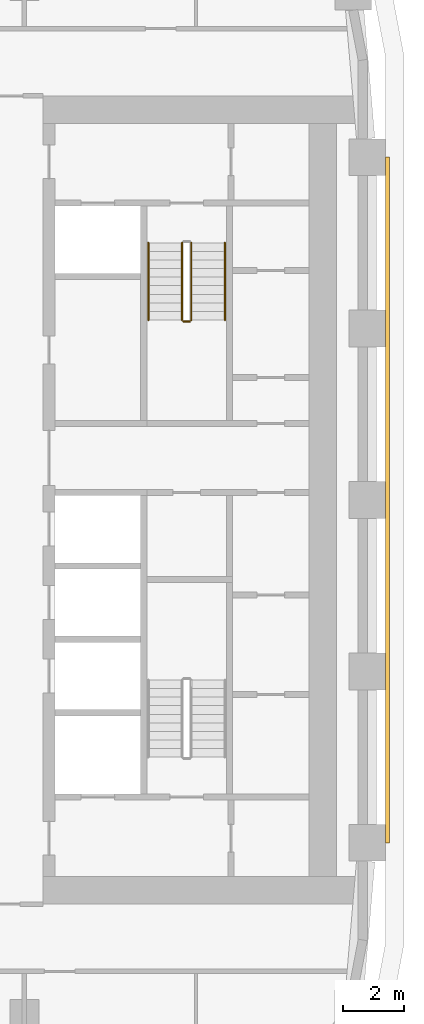
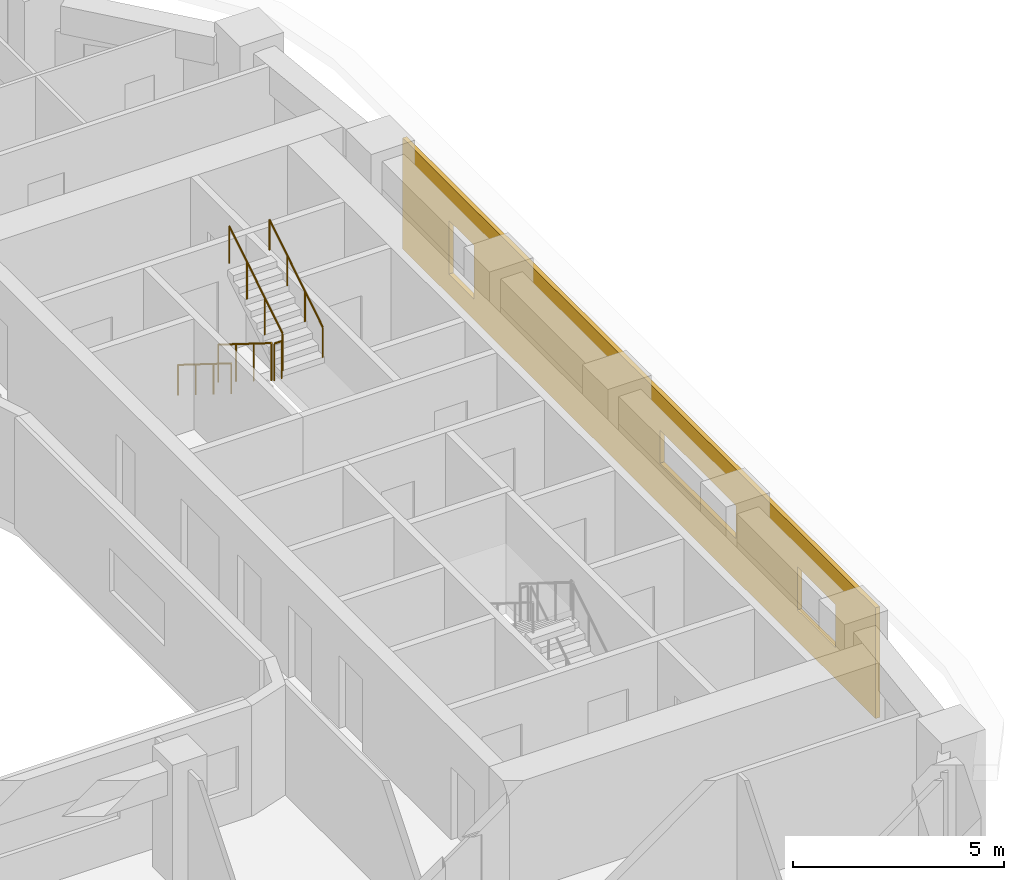
# One storey, part 18 of 21: 5 railings, 1 covering.
"""IFC4 building model written with IfcOpenShell, lengths in metres."""

from ifc_helpers import new_model, si_unit, direction, frame, origin, origin_2d, place, context, subcontext, project, spatial, polyline, circle, outline, extrude, material, layer, layer_set, type_object, element, save


model = new_model("IFC4")

# Units and contexts
model_context = context("Model", 3, precision=1e-05, world=origin(), true_north=direction((0.0, 1.0)))
body_context = subcontext(model_context, "Body", "Model", "MODEL_VIEW")
ifc_project = project(units=[si_unit("LENGTHUNIT", "METRE"), si_unit("AREAUNIT", "SQUARE_METRE"), si_unit("VOLUMEUNIT", "CUBIC_METRE"), si_unit("PLANEANGLEUNIT", "RADIAN"), si_unit("MASSUNIT", "GRAM", prefix="KILO")], contexts=[model_context])

# Site, building, storey
site_placement = place(None, origin())
site = spatial("IfcSite", under=ifc_project, at=site_placement, CompositionType="ELEMENT")
building_placement = place(site_placement, origin())
building = spatial("IfcBuilding", under=site, at=building_placement, Name="Kiln Ring Residences", CompositionType="ELEMENT")
storey_placement = place(building_placement, frame((0.0, 0.0, 114.800048828125)))
storey = spatial("IfcBuildingStorey", under=building, at=storey_placement, Name="L29", CompositionType="ELEMENT", Elevation=114.800048828125)

# Railings
ifc_material_1 = material(Name="Stainless steel", Category="steel")
railing_type_1 = type_object("IfcRailingType", Name="CORE-STAIR-GUARD", PredefinedType="GUARDRAIL", material=ifc_material_1)
railing_1_placement = place(storey_placement, frame((21.949951171875, 8.39990234375, 0.175048828125)))
element("IfcRailing", 1, at=railing_1_placement, inside=storey, type_object=railing_type_1, Name="L29 E-STN stair guard 1", PredefinedType="GUARDRAIL", context=body_context, shape_type="SweptSolid", body=[
    extrude(circle(Radius=0.02392578125, at=origin_2d()), frame((0.0, 0.0, 1.076171875), z_axis=(0.0, -0.848007534815, 0.529984170421), x_axis=(1.0, 0.0, 0.0)), (0.0, 0.0, 1.0), 2.9716796875),
    extrude(circle(Radius=0.02099609375, at=origin_2d()), origin(), (0.0, 0.0, 1.0), 1.052001953125),
    extrude(circle(Radius=0.02099609375, at=origin_2d()), frame((0.0, -0.840087890625, 0.52490234375)), (0.0, 0.0, 1.0), 1.052001953125),
    extrude(circle(Radius=0.02099609375, at=origin_2d()), frame((0.0, -1.679931640625, 1.050048828125)), (0.0, 0.0, 1.0), 1.052001953125),
    extrude(circle(Radius=0.02099609375, at=origin_2d()), frame((0.0, -2.52001953125, 1.574951171875)), (0.0, 0.0, 1.0), 1.052001953125),
])
railing_2_placement = place(storey_placement, frame((22.0, 5.830078125, 1.75)))
element("IfcRailing", 2, at=railing_2_placement, inside=storey, type_object=railing_type_1, Name="L29 E-STN stair guard 2", PredefinedType="GUARDRAIL", context=body_context, shape_type="SweptSolid", body=[
    extrude(circle(Radius=0.02392578125, at=origin_2d()), frame((0.0, 0.0, 1.076171875), z_axis=(1.0, 0.0, 0.0), x_axis=(0.0, 1.0, 0.0)), (0.0, 0.0, 1.0), 0.199951171875),
    extrude(circle(Radius=0.02099609375, at=origin_2d()), origin(), (0.0, 0.0, 1.0), 1.052001953125),
    extrude(circle(Radius=0.02099609375, at=origin_2d()), frame((0.199951171875, 0.0, 0.0)), (0.0, 0.0, 1.0), 1.052001953125),
])
railing_3_placement = place(storey_placement, frame((22.25, 5.8798828125, 1.925048828125)))
element("IfcRailing", 3, at=railing_3_placement, inside=storey, type_object=railing_type_1, Name="L29 E-STN stair guard 3", PredefinedType="GUARDRAIL", context=body_context, shape_type="SweptSolid", body=[
    extrude(circle(Radius=0.02392578125, at=origin_2d()), frame((0.0, 0.0, 1.076171875), z_axis=(0.0, 0.848007534815, 0.529984170421), x_axis=(-1.0, 0.0, 0.0)), (0.0, 0.0, 1.0), 2.9716796875),
    extrude(circle(Radius=0.02099609375, at=origin_2d()), origin(), (0.0, 0.0, 1.0), 1.052001953125),
    extrude(circle(Radius=0.02099609375, at=origin_2d()), frame((0.0, 0.840087890625, 0.52490234375)), (0.0, 0.0, 1.0), 1.052001953125),
    extrude(circle(Radius=0.02099609375, at=origin_2d()), frame((0.0, 1.679931640625, 1.050048828125)), (0.0, 0.0, 1.0), 1.052001953125),
    extrude(circle(Radius=0.02099609375, at=origin_2d()), frame((0.0, 2.52001953125, 1.574951171875)), (0.0, 0.0, 1.0), 1.052001953125),
])
ifc_material_2 = material(Name="Stainless steel", Category="steel")
railing_type_2 = type_object("IfcRailingType", Name="CORE-STAIR-HANDRAIL", PredefinedType="HANDRAIL", material=ifc_material_2)
railing_4_placement = place(storey_placement, frame((20.85009765625, 8.39990234375, 0.175048828125)))
element("IfcRailing", 4, at=railing_4_placement, inside=storey, type_object=railing_type_2, Name="L29 E-STN stair handrail 1", PredefinedType="HANDRAIL", context=body_context, shape_type="SweptSolid", body=[
    extrude(circle(Radius=0.02392578125, at=origin_2d()), frame((0.0, 0.0, 0.8759765625), z_axis=(0.0, -0.848007534815, 0.529984170421), x_axis=(1.0, 0.0, 0.0)), (0.0, 0.0, 1.0), 2.9716796875),
    extrude(circle(Radius=0.02099609375, at=origin_2d()), origin(), (0.0, 0.0, 1.0), 0.851806640625),
    extrude(circle(Radius=0.02099609375, at=origin_2d()), frame((0.0, -0.840087890625, 0.52490234375)), (0.0, 0.0, 1.0), 0.851806640625),
    extrude(circle(Radius=0.02099609375, at=origin_2d()), frame((0.0, -1.679931640625, 1.050048828125)), (0.0, 0.0, 1.0), 0.851806640625),
    extrude(circle(Radius=0.02099609375, at=origin_2d()), frame((0.0, -2.52001953125, 1.574951171875)), (0.0, 0.0, 1.0), 0.851806640625),
])
railing_5_placement = place(storey_placement, frame((23.35009765625, 5.8798828125, 1.925048828125)))
element("IfcRailing", 5, at=railing_5_placement, inside=storey, type_object=railing_type_2, Name="L29 E-STN stair handrail 2", PredefinedType="HANDRAIL", context=body_context, shape_type="SweptSolid", body=[
    extrude(circle(Radius=0.02392578125, at=origin_2d()), frame((0.0, 0.0, 0.8759765625), z_axis=(0.0, 0.848007534815, 0.529984170421), x_axis=(-1.0, 0.0, 0.0)), (0.0, 0.0, 1.0), 2.9716796875),
    extrude(circle(Radius=0.02099609375, at=origin_2d()), origin(), (0.0, 0.0, 1.0), 0.851806640625),
    extrude(circle(Radius=0.02099609375, at=origin_2d()), frame((0.0, 0.840087890625, 0.52490234375)), (0.0, 0.0, 1.0), 0.851806640625),
    extrude(circle(Radius=0.02099609375, at=origin_2d()), frame((0.0, 1.679931640625, 1.050048828125)), (0.0, 0.0, 1.0), 0.851806640625),
    extrude(circle(Radius=0.02099609375, at=origin_2d()), frame((0.0, 2.52001953125, 1.574951171875)), (0.0, 0.0, 1.0), 0.851806640625),
])

# Covering
ifc_material_3 = material(Name="Brick masonry, dark clay brick", Category="masonry")
ifc_layer = layer(ifc_material_3, 0.1201171875)
ifc_layer_set = layer_set([ifc_layer], Name="RAINSCREEN PANEL 120")
covering_type = type_object("IfcCoveringType", Name="RAINSCREEN PANEL 120", PredefinedType="CLADDING", material=ifc_layer_set)
covering_placement = place(storey_placement, frame((28.659912109375, -11.199951171875, 0.0), z_axis=(0.0, 0.0, 1.0), x_axis=(0.0, 1.0, 0.0)))
element("IfcCovering", 6, at=covering_placement, inside=storey, type_object=covering_type, Name="RAINSCREEN L29", PredefinedType="CLADDING", context=body_context, shape_type="SweptSolid", body=[
    extrude(outline(polyline([(0.0, 0.0), (22.39990234375, 0.0), (22.39990234375, 3.199951171875), (0.0, 3.199951171875), (0.0, 0.0)]), holes=[polyline([(20.199951171875, 2.14990234375), (19.0, 2.14990234375), (19.0, 0.599853515625), (20.199951171875, 0.599853515625), (20.199951171875, 2.14990234375)]), polyline([(3.699951171875, 0.89990234375), (3.699951171875, 2.14990234375), (1.89990234375, 2.14990234375), (1.89990234375, 0.89990234375), (3.699951171875, 0.89990234375)]), polyline([(10.199951171875, 1.199951171875), (10.199951171875, 2.14990234375), (6.60009765625, 2.14990234375), (6.60009765625, 1.199951171875), (10.199951171875, 1.199951171875)])]), frame((0.0, 0.06005859375, 0.0), z_axis=(0.0, -1.0, 0.0), x_axis=(1.0, 0.0, 0.0)), (0.0, 0.0, 1.0), 0.1201171875),
])

save(model, "model.ifc")
